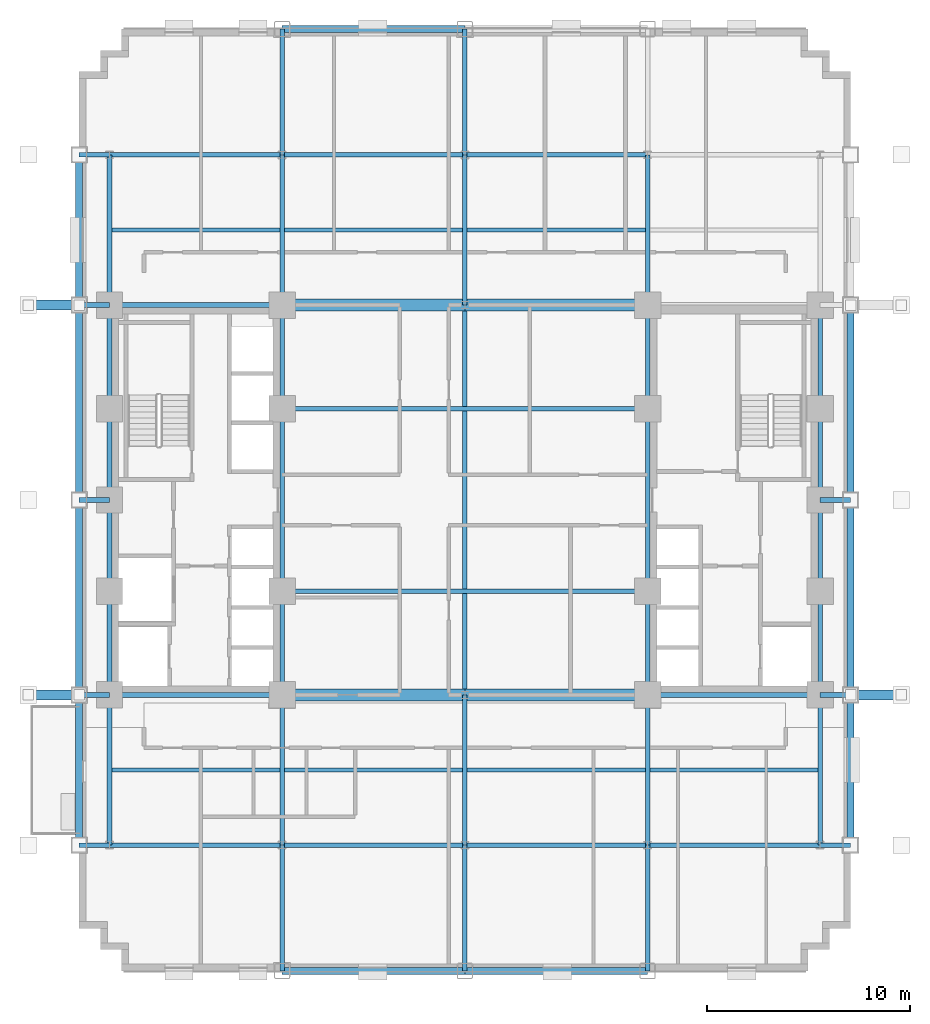
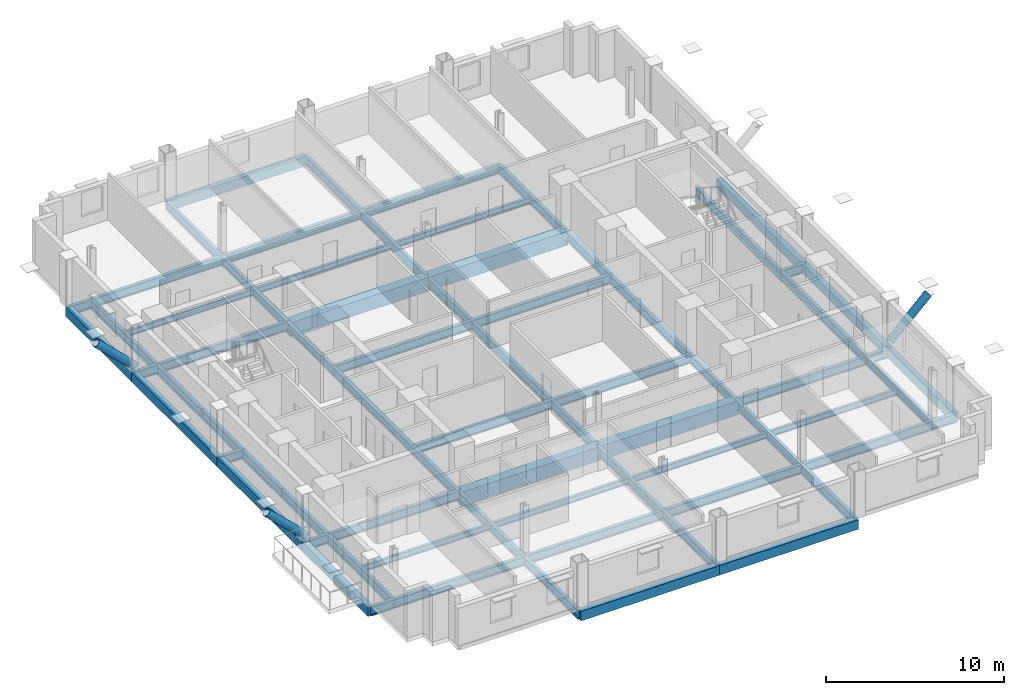
# One storey, part 3 of 12: 70 beams, 3 members.
"""IFC4 building model written with IfcOpenShell, lengths in metres."""

from ifc_helpers import new_model, si_unit, direction, frame, origin, origin_2d, place, context, subcontext, project, spatial, rectangle, hollow_circle, i_section, extrude, material, material_profile, profile_set, type_object, element, save


model = new_model("IFC4")

# Units and contexts
model_context = context("Model", 3, precision=1e-05, world=origin(), true_north=direction((0.0, 1.0)))
body_context = subcontext(model_context, "Body", "Model", "MODEL_VIEW")
ifc_project = project(units=[si_unit("LENGTHUNIT", "METRE"), si_unit("AREAUNIT", "SQUARE_METRE"), si_unit("VOLUMEUNIT", "CUBIC_METRE"), si_unit("PLANEANGLEUNIT", "RADIAN"), si_unit("MASSUNIT", "GRAM", prefix="KILO")], contexts=[model_context])

# Site, building, storey
site_placement = place(None, origin())
site = spatial("IfcSite", under=ifc_project, at=site_placement, CompositionType="ELEMENT")
building_placement = place(site_placement, origin())
building = spatial("IfcBuilding", under=site, at=building_placement, Name="Nuvemarco Arch Tower", CompositionType="ELEMENT")
storey_placement = place(building_placement, frame((0.0, 0.0, 53.14990234375)))
storey = spatial("IfcBuildingStorey", under=building, at=storey_placement, Name="L13", CompositionType="ELEMENT", Elevation=53.14990234375)

# Beams
ifc_material_1 = material(Name="Concrete C60/75", Category="concrete")
ifc_material_profile_1 = material_profile(ifc_material_1, rectangle(XDim=0.60009765625, YDim=0.949951171875, at=origin_2d()), Name="RC-BM-600x950")
ifc_profile_set_1 = profile_set([ifc_material_profile_1], Name="Concrete C60/75")
beam_type_1 = type_object("IfcBeamType", Name="BM-COUP-RC", PredefinedType="LINTEL", material=ifc_profile_set_1)
for number, where, z_axis, x_axis, name in (
    (1, (-9.0, -9.60009765625, -0.7548828125), (1.0, 0.0, 0.0), (0.0, 1.0, 0.0), "L13 structural beam BGEW_L13_0_-9.6_-9.0"),
    (2, (0.0, -9.60009765625, -0.7548828125), (1.0, 0.0, 0.0), (0.0, 1.0, 0.0), "L13 structural beam BGEW_L13_0_-9.6_+0.0"),
    (3, (-9.0, 9.60009765625, -0.7548828125), (1.0, 0.0, 0.0), (0.0, 1.0, 0.0), "L13 structural beam BGEW_L13_0_+9.6_-9.0"),
    (4, (0.0, 9.60009765625, -0.7548828125), (1.0, 0.0, 0.0), (0.0, 1.0, 0.0), "L13 structural beam BGEW_L13_0_+9.6_+0.0"),
):
    element("IfcBeam", number, at=place(storey_placement, frame(where, z_axis=z_axis, x_axis=x_axis)), inside=storey, type_object=beam_type_1, Name=name, PredefinedType="LINTEL", context=body_context, shape_type="SweptSolid", body=[
        extrude(rectangle(XDim=0.60009765625, YDim=0.949951171875, at=origin_2d()), origin(), (0.0, 0.0, 1.0), 9.0),
    ])
ifc_material_2 = material(Name="Steel S355", Category="steel")
ifc_material_profile_2 = material_profile(ifc_material_2, i_section(OverallWidth=0.22998046875, OverallDepth=0.616943359375, WebThickness=0.01318359375, FlangeThickness=0.022216796875, FilletRadius=0.01611328125, at=origin_2d()), Name="W610x140")
ifc_profile_set_2 = profile_set([ifc_material_profile_2], Name="Steel S355")
beam_type_2 = type_object("IfcBeamType", Name="BM-GIRD-610", PredefinedType="BEAM", material=ifc_profile_set_2)
beam_1_placement = place(storey_placement, frame((-17.5, -17.0, -0.58837890625), z_axis=(0.0, 1.0, 0.0), x_axis=(-1.0, 0.0, 0.0)))
element("IfcBeam", 5, at=beam_1_placement, inside=storey, type_object=beam_type_2, Name="L13 structural beam BGNS_L13_0_-17.5_-17.0", PredefinedType="BEAM", context=body_context, shape_type="SweptSolid", body=[
    extrude(i_section(OverallWidth=0.22998046875, OverallDepth=0.616943359375, WebThickness=0.01318359375, FlangeThickness=0.022216796875, FilletRadius=0.01611328125, at=origin_2d()), origin(), (0.0, 0.0, 1.0), 7.39990234375),
])
beam_2_placement = place(storey_placement, frame((-17.5, -9.60009765625, -0.58837890625), z_axis=(0.0, 1.0, 0.0), x_axis=(-1.0, 0.0, 0.0)))
element("IfcBeam", 6, at=beam_2_placement, inside=storey, type_object=beam_type_2, Name="L13 structural beam BGNS_L13_0_-17.5_-9.6", PredefinedType="BEAM", context=body_context, shape_type="SweptSolid", body=[
    extrude(i_section(OverallWidth=0.22998046875, OverallDepth=0.616943359375, WebThickness=0.01318359375, FlangeThickness=0.022216796875, FilletRadius=0.01611328125, at=origin_2d()), origin(), (0.0, 0.0, 1.0), 5.10009765625),
])
for number, where, z_axis, x_axis, name in (
    (7, (-17.5, -4.5, -0.58837890625), (0.0, 1.0, 0.0), (-1.0, 0.0, 0.0), "L13 structural beam BGNS_L13_0_-17.5_-4.5"),
    (8, (-17.5, 0.0, -0.58837890625), (0.0, 1.0, 0.0), (-1.0, 0.0, 0.0), "L13 structural beam BGNS_L13_0_-17.5_+0.0"),
):
    element("IfcBeam", number, at=place(storey_placement, frame(where, z_axis=z_axis, x_axis=x_axis)), inside=storey, type_object=beam_type_2, Name=name, PredefinedType="BEAM", context=body_context, shape_type="SweptSolid", body=[
        extrude(i_section(OverallWidth=0.22998046875, OverallDepth=0.616943359375, WebThickness=0.01318359375, FlangeThickness=0.022216796875, FilletRadius=0.01611328125, at=origin_2d()), origin(), (0.0, 0.0, 1.0), 4.5),
    ])
beam_3_placement = place(storey_placement, frame((-17.5, 4.5, -0.58837890625), z_axis=(0.0, 1.0, 0.0), x_axis=(-1.0, 0.0, 0.0)))
element("IfcBeam", 9, at=beam_3_placement, inside=storey, type_object=beam_type_2, Name="L13 structural beam BGNS_L13_0_-17.5_+4.5", PredefinedType="BEAM", context=body_context, shape_type="SweptSolid", body=[
    extrude(i_section(OverallWidth=0.22998046875, OverallDepth=0.616943359375, WebThickness=0.01318359375, FlangeThickness=0.022216796875, FilletRadius=0.01611328125, at=origin_2d()), origin(), (0.0, 0.0, 1.0), 5.10009765625),
])
beam_4_placement = place(storey_placement, frame((-17.5, 9.60009765625, -0.58837890625), z_axis=(0.0, 1.0, 0.0), x_axis=(-1.0, 0.0, 0.0)))
element("IfcBeam", 10, at=beam_4_placement, inside=storey, type_object=beam_type_2, Name="L13 structural beam BGNS_L13_0_-17.5_+9.6", PredefinedType="BEAM", context=body_context, shape_type="SweptSolid", body=[
    extrude(i_section(OverallWidth=0.22998046875, OverallDepth=0.616943359375, WebThickness=0.01318359375, FlangeThickness=0.022216796875, FilletRadius=0.01611328125, at=origin_2d()), origin(), (0.0, 0.0, 1.0), 7.39990234375),
])
beam_5_placement = place(storey_placement, frame((-9.0, -23.199951171875, -0.58837890625), z_axis=(0.0, 1.0, 0.0), x_axis=(-1.0, 0.0, 0.0)))
element("IfcBeam", 11, at=beam_5_placement, inside=storey, type_object=beam_type_2, Name="L13 structural beam BGNS_L13_0_-9.0_-23.2", PredefinedType="BEAM", context=body_context, shape_type="SweptSolid", body=[
    extrude(i_section(OverallWidth=0.22998046875, OverallDepth=0.616943359375, WebThickness=0.01318359375, FlangeThickness=0.022216796875, FilletRadius=0.01611328125, at=origin_2d()), origin(), (0.0, 0.0, 1.0), 6.199951171875),
])
beam_6_placement = place(storey_placement, frame((-9.0, -17.0, -0.58837890625), z_axis=(0.0, 1.0, 0.0), x_axis=(-1.0, 0.0, 0.0)))
element("IfcBeam", 12, at=beam_6_placement, inside=storey, type_object=beam_type_2, Name="L13 structural beam BGNS_L13_0_-9.0_-17.0", PredefinedType="BEAM", context=body_context, shape_type="SweptSolid", body=[
    extrude(i_section(OverallWidth=0.22998046875, OverallDepth=0.616943359375, WebThickness=0.01318359375, FlangeThickness=0.022216796875, FilletRadius=0.01611328125, at=origin_2d()), origin(), (0.0, 0.0, 1.0), 7.39990234375),
])
beam_7_placement = place(storey_placement, frame((-9.0, -9.60009765625, -0.58837890625), z_axis=(0.0, 1.0, 0.0), x_axis=(-1.0, 0.0, 0.0)))
element("IfcBeam", 13, at=beam_7_placement, inside=storey, type_object=beam_type_2, Name="L13 structural beam BGNS_L13_0_-9.0_-9.6", PredefinedType="BEAM", context=body_context, shape_type="SweptSolid", body=[
    extrude(i_section(OverallWidth=0.22998046875, OverallDepth=0.616943359375, WebThickness=0.01318359375, FlangeThickness=0.022216796875, FilletRadius=0.01611328125, at=origin_2d()), origin(), (0.0, 0.0, 1.0), 5.10009765625),
])
beam_8_placement = place(storey_placement, frame((-9.0, -4.5, -0.58837890625), z_axis=(0.0, 1.0, 0.0), x_axis=(-1.0, 0.0, 0.0)))
element("IfcBeam", 14, at=beam_8_placement, inside=storey, type_object=beam_type_2, Name="L13 structural beam BGNS_L13_0_-9.0_-4.5", PredefinedType="BEAM", context=body_context, shape_type="SweptSolid", body=[
    extrude(i_section(OverallWidth=0.22998046875, OverallDepth=0.616943359375, WebThickness=0.01318359375, FlangeThickness=0.022216796875, FilletRadius=0.01611328125, at=origin_2d()), origin(), (0.0, 0.0, 1.0), 9.0),
])
beam_9_placement = place(storey_placement, frame((-9.0, 4.5, -0.58837890625), z_axis=(0.0, 1.0, 0.0), x_axis=(-1.0, 0.0, 0.0)))
element("IfcBeam", 15, at=beam_9_placement, inside=storey, type_object=beam_type_2, Name="L13 structural beam BGNS_L13_0_-9.0_+4.5", PredefinedType="BEAM", context=body_context, shape_type="SweptSolid", body=[
    extrude(i_section(OverallWidth=0.22998046875, OverallDepth=0.616943359375, WebThickness=0.01318359375, FlangeThickness=0.022216796875, FilletRadius=0.01611328125, at=origin_2d()), origin(), (0.0, 0.0, 1.0), 5.10009765625),
])
beam_10_placement = place(storey_placement, frame((-9.0, 9.60009765625, -0.58837890625), z_axis=(0.0, 1.0, 0.0), x_axis=(-1.0, 0.0, 0.0)))
element("IfcBeam", 16, at=beam_10_placement, inside=storey, type_object=beam_type_2, Name="L13 structural beam BGNS_L13_0_-9.0_+9.6", PredefinedType="BEAM", context=body_context, shape_type="SweptSolid", body=[
    extrude(i_section(OverallWidth=0.22998046875, OverallDepth=0.616943359375, WebThickness=0.01318359375, FlangeThickness=0.022216796875, FilletRadius=0.01611328125, at=origin_2d()), origin(), (0.0, 0.0, 1.0), 7.39990234375),
])
for number, where, z_axis, x_axis, name in (
    (17, (-9.0, 17.0, -0.58837890625), (0.0, 1.0, 0.0), (-1.0, 0.0, 0.0), "L13 structural beam BGNS_L13_0_-9.0_+17.0"),
    (18, (0.0, -23.199951171875, -0.58837890625), (0.0, 1.0, 0.0), (-1.0, 0.0, 0.0), "L13 structural beam BGNS_L13_0_+0.0_-23.2"),
):
    element("IfcBeam", number, at=place(storey_placement, frame(where, z_axis=z_axis, x_axis=x_axis)), inside=storey, type_object=beam_type_2, Name=name, PredefinedType="BEAM", context=body_context, shape_type="SweptSolid", body=[
        extrude(i_section(OverallWidth=0.22998046875, OverallDepth=0.616943359375, WebThickness=0.01318359375, FlangeThickness=0.022216796875, FilletRadius=0.01611328125, at=origin_2d()), origin(), (0.0, 0.0, 1.0), 6.199951171875),
    ])
beam_11_placement = place(storey_placement, frame((0.0, -17.0, -0.58837890625), z_axis=(0.0, 1.0, 0.0), x_axis=(-1.0, 0.0, 0.0)))
element("IfcBeam", 19, at=beam_11_placement, inside=storey, type_object=beam_type_2, Name="L13 structural beam BGNS_L13_0_+0.0_-17.0", PredefinedType="BEAM", context=body_context, shape_type="SweptSolid", body=[
    extrude(i_section(OverallWidth=0.22998046875, OverallDepth=0.616943359375, WebThickness=0.01318359375, FlangeThickness=0.022216796875, FilletRadius=0.01611328125, at=origin_2d()), origin(), (0.0, 0.0, 1.0), 7.39990234375),
])
beam_12_placement = place(storey_placement, frame((0.0, -9.60009765625, -0.58837890625), z_axis=(0.0, 1.0, 0.0), x_axis=(-1.0, 0.0, 0.0)))
element("IfcBeam", 20, at=beam_12_placement, inside=storey, type_object=beam_type_2, Name="L13 structural beam BGNS_L13_0_+0.0_-9.6", PredefinedType="BEAM", context=body_context, shape_type="SweptSolid", body=[
    extrude(i_section(OverallWidth=0.22998046875, OverallDepth=0.616943359375, WebThickness=0.01318359375, FlangeThickness=0.022216796875, FilletRadius=0.01611328125, at=origin_2d()), origin(), (0.0, 0.0, 1.0), 19.2001953125),
])
beam_13_placement = place(storey_placement, frame((0.0, 9.60009765625, -0.58837890625), z_axis=(0.0, 1.0, 0.0), x_axis=(-1.0, 0.0, 0.0)))
element("IfcBeam", 21, at=beam_13_placement, inside=storey, type_object=beam_type_2, Name="L13 structural beam BGNS_L13_0_+0.0_+9.6", PredefinedType="BEAM", context=body_context, shape_type="SweptSolid", body=[
    extrude(i_section(OverallWidth=0.22998046875, OverallDepth=0.616943359375, WebThickness=0.01318359375, FlangeThickness=0.022216796875, FilletRadius=0.01611328125, at=origin_2d()), origin(), (0.0, 0.0, 1.0), 7.39990234375),
])
for number, where, z_axis, x_axis, name in (
    (22, (0.0, 17.0, -0.58837890625), (0.0, 1.0, 0.0), (-1.0, 0.0, 0.0), "L13 structural beam BGNS_L13_0_+0.0_+17.0"),
    (23, (9.0, -23.199951171875, -0.58837890625), (0.0, 1.0, 0.0), (-1.0, 0.0, 0.0), "L13 structural beam BGNS_L13_0_+9.0_-23.2"),
):
    element("IfcBeam", number, at=place(storey_placement, frame(where, z_axis=z_axis, x_axis=x_axis)), inside=storey, type_object=beam_type_2, Name=name, PredefinedType="BEAM", context=body_context, shape_type="SweptSolid", body=[
        extrude(i_section(OverallWidth=0.22998046875, OverallDepth=0.616943359375, WebThickness=0.01318359375, FlangeThickness=0.022216796875, FilletRadius=0.01611328125, at=origin_2d()), origin(), (0.0, 0.0, 1.0), 6.199951171875),
    ])
beam_14_placement = place(storey_placement, frame((9.0, -17.0, -0.58837890625), z_axis=(0.0, 1.0, 0.0), x_axis=(-1.0, 0.0, 0.0)))
element("IfcBeam", 24, at=beam_14_placement, inside=storey, type_object=beam_type_2, Name="L13 structural beam BGNS_L13_0_+9.0_-17.0", PredefinedType="BEAM", context=body_context, shape_type="SweptSolid", body=[
    extrude(i_section(OverallWidth=0.22998046875, OverallDepth=0.616943359375, WebThickness=0.01318359375, FlangeThickness=0.022216796875, FilletRadius=0.01611328125, at=origin_2d()), origin(), (0.0, 0.0, 1.0), 7.39990234375),
])
beam_15_placement = place(storey_placement, frame((9.0, -9.60009765625, -0.58837890625), z_axis=(0.0, 1.0, 0.0), x_axis=(-1.0, 0.0, 0.0)))
element("IfcBeam", 25, at=beam_15_placement, inside=storey, type_object=beam_type_2, Name="L13 structural beam BGNS_L13_0_+9.0_-9.6", PredefinedType="BEAM", context=body_context, shape_type="SweptSolid", body=[
    extrude(i_section(OverallWidth=0.22998046875, OverallDepth=0.616943359375, WebThickness=0.01318359375, FlangeThickness=0.022216796875, FilletRadius=0.01611328125, at=origin_2d()), origin(), (0.0, 0.0, 1.0), 5.10009765625),
])
beam_16_placement = place(storey_placement, frame((9.0, -4.5, -0.58837890625), z_axis=(0.0, 1.0, 0.0), x_axis=(-1.0, 0.0, 0.0)))
element("IfcBeam", 26, at=beam_16_placement, inside=storey, type_object=beam_type_2, Name="L13 structural beam BGNS_L13_0_+9.0_-4.5", PredefinedType="BEAM", context=body_context, shape_type="SweptSolid", body=[
    extrude(i_section(OverallWidth=0.22998046875, OverallDepth=0.616943359375, WebThickness=0.01318359375, FlangeThickness=0.022216796875, FilletRadius=0.01611328125, at=origin_2d()), origin(), (0.0, 0.0, 1.0), 9.0),
])
beam_17_placement = place(storey_placement, frame((9.0, 4.5, -0.58837890625), z_axis=(0.0, 1.0, 0.0), x_axis=(-1.0, 0.0, 0.0)))
element("IfcBeam", 27, at=beam_17_placement, inside=storey, type_object=beam_type_2, Name="L13 structural beam BGNS_L13_0_+9.0_+4.5", PredefinedType="BEAM", context=body_context, shape_type="SweptSolid", body=[
    extrude(i_section(OverallWidth=0.22998046875, OverallDepth=0.616943359375, WebThickness=0.01318359375, FlangeThickness=0.022216796875, FilletRadius=0.01611328125, at=origin_2d()), origin(), (0.0, 0.0, 1.0), 5.10009765625),
])
for number, where, z_axis, x_axis, name in (
    (28, (9.0, 9.60009765625, -0.58837890625), (0.0, 1.0, 0.0), (-1.0, 0.0, 0.0), "L13 structural beam BGNS_L13_0_+9.0_+9.6"),
    (29, (17.5, -17.0, -0.58837890625), (0.0, 1.0, 0.0), (-1.0, 0.0, 0.0), "L13 structural beam BGNS_L13_0_+17.5_-17.0"),
):
    element("IfcBeam", number, at=place(storey_placement, frame(where, z_axis=z_axis, x_axis=x_axis)), inside=storey, type_object=beam_type_2, Name=name, PredefinedType="BEAM", context=body_context, shape_type="SweptSolid", body=[
        extrude(i_section(OverallWidth=0.22998046875, OverallDepth=0.616943359375, WebThickness=0.01318359375, FlangeThickness=0.022216796875, FilletRadius=0.01611328125, at=origin_2d()), origin(), (0.0, 0.0, 1.0), 7.39990234375),
    ])
beam_18_placement = place(storey_placement, frame((17.5, -9.60009765625, -0.58837890625), z_axis=(0.0, 1.0, 0.0), x_axis=(-1.0, 0.0, 0.0)))
element("IfcBeam", 30, at=beam_18_placement, inside=storey, type_object=beam_type_2, Name="L13 structural beam BGNS_L13_0_+17.5_-9.6", PredefinedType="BEAM", context=body_context, shape_type="SweptSolid", body=[
    extrude(i_section(OverallWidth=0.22998046875, OverallDepth=0.616943359375, WebThickness=0.01318359375, FlangeThickness=0.022216796875, FilletRadius=0.01611328125, at=origin_2d()), origin(), (0.0, 0.0, 1.0), 5.10009765625),
])
for number, where, z_axis, x_axis, name in (
    (31, (17.5, -4.5, -0.58837890625), (0.0, 1.0, 0.0), (-1.0, 0.0, 0.0), "L13 structural beam BGNS_L13_0_+17.5_-4.5"),
    (32, (17.5, 0.0, -0.58837890625), (0.0, 1.0, 0.0), (-1.0, 0.0, 0.0), "L13 structural beam BGNS_L13_0_+17.5_+0.0"),
):
    element("IfcBeam", number, at=place(storey_placement, frame(where, z_axis=z_axis, x_axis=x_axis)), inside=storey, type_object=beam_type_2, Name=name, PredefinedType="BEAM", context=body_context, shape_type="SweptSolid", body=[
        extrude(i_section(OverallWidth=0.22998046875, OverallDepth=0.616943359375, WebThickness=0.01318359375, FlangeThickness=0.022216796875, FilletRadius=0.01611328125, at=origin_2d()), origin(), (0.0, 0.0, 1.0), 4.5),
    ])
beam_19_placement = place(storey_placement, frame((17.5, 4.5, -0.58837890625), z_axis=(0.0, 1.0, 0.0), x_axis=(-1.0, 0.0, 0.0)))
element("IfcBeam", 33, at=beam_19_placement, inside=storey, type_object=beam_type_2, Name="L13 structural beam BGNS_L13_0_+17.5_+4.5", PredefinedType="BEAM", context=body_context, shape_type="SweptSolid", body=[
    extrude(i_section(OverallWidth=0.22998046875, OverallDepth=0.616943359375, WebThickness=0.01318359375, FlangeThickness=0.022216796875, FilletRadius=0.01611328125, at=origin_2d()), origin(), (0.0, 0.0, 1.0), 5.10009765625),
])
beam_20_placement = place(storey_placement, frame((-19.0, -17.0, -0.58837890625), z_axis=(1.0, 0.0, 0.0), x_axis=(0.0, 1.0, 0.0)))
element("IfcBeam", 34, at=beam_20_placement, inside=storey, type_object=beam_type_2, Name="L13 structural beam BGEW_L13_0_-17.0_-19.0", PredefinedType="BEAM", context=body_context, shape_type="SweptSolid", body=[
    extrude(i_section(OverallWidth=0.22998046875, OverallDepth=0.616943359375, WebThickness=0.01318359375, FlangeThickness=0.022216796875, FilletRadius=0.01611328125, at=origin_2d()), origin(), (0.0, 0.0, 1.0), 1.5),
])
beam_21_placement = place(storey_placement, frame((-17.5, -17.0, -0.58837890625), z_axis=(1.0, 0.0, 0.0), x_axis=(0.0, 1.0, 0.0)))
element("IfcBeam", 35, at=beam_21_placement, inside=storey, type_object=beam_type_2, Name="L13 structural beam BGEW_L13_0_-17.0_-17.5", PredefinedType="BEAM", context=body_context, shape_type="SweptSolid", body=[
    extrude(i_section(OverallWidth=0.22998046875, OverallDepth=0.616943359375, WebThickness=0.01318359375, FlangeThickness=0.022216796875, FilletRadius=0.01611328125, at=origin_2d()), origin(), (0.0, 0.0, 1.0), 8.5),
])
for number, where, z_axis, x_axis, name in (
    (36, (-9.0, -17.0, -0.58837890625), (1.0, 0.0, 0.0), (0.0, 1.0, 0.0), "L13 structural beam BGEW_L13_0_-17.0_-9.0"),
    (37, (0.0, -17.0, -0.58837890625), (1.0, 0.0, 0.0), (0.0, 1.0, 0.0), "L13 structural beam BGEW_L13_0_-17.0_+0.0"),
):
    element("IfcBeam", number, at=place(storey_placement, frame(where, z_axis=z_axis, x_axis=x_axis)), inside=storey, type_object=beam_type_2, Name=name, PredefinedType="BEAM", context=body_context, shape_type="SweptSolid", body=[
        extrude(i_section(OverallWidth=0.22998046875, OverallDepth=0.616943359375, WebThickness=0.01318359375, FlangeThickness=0.022216796875, FilletRadius=0.01611328125, at=origin_2d()), origin(), (0.0, 0.0, 1.0), 9.0),
    ])
beam_22_placement = place(storey_placement, frame((9.0, -17.0, -0.58837890625), z_axis=(1.0, 0.0, 0.0), x_axis=(0.0, 1.0, 0.0)))
element("IfcBeam", 38, at=beam_22_placement, inside=storey, type_object=beam_type_2, Name="L13 structural beam BGEW_L13_0_-17.0_+9.0", PredefinedType="BEAM", context=body_context, shape_type="SweptSolid", body=[
    extrude(i_section(OverallWidth=0.22998046875, OverallDepth=0.616943359375, WebThickness=0.01318359375, FlangeThickness=0.022216796875, FilletRadius=0.01611328125, at=origin_2d()), origin(), (0.0, 0.0, 1.0), 8.5),
])
for number, where, z_axis, x_axis, name in (
    (39, (17.5, -17.0, -0.58837890625), (1.0, 0.0, 0.0), (0.0, 1.0, 0.0), "L13 structural beam BGEW_L13_0_-17.0_+17.5"),
    (40, (-19.0, -9.60009765625, -0.58837890625), (1.0, 0.0, 0.0), (0.0, 1.0, 0.0), "L13 structural beam BGEW_L13_0_-9.6_-19.0"),
):
    element("IfcBeam", number, at=place(storey_placement, frame(where, z_axis=z_axis, x_axis=x_axis)), inside=storey, type_object=beam_type_2, Name=name, PredefinedType="BEAM", context=body_context, shape_type="SweptSolid", body=[
        extrude(i_section(OverallWidth=0.22998046875, OverallDepth=0.616943359375, WebThickness=0.01318359375, FlangeThickness=0.022216796875, FilletRadius=0.01611328125, at=origin_2d()), origin(), (0.0, 0.0, 1.0), 1.5),
    ])
for number, where, z_axis, x_axis, name in (
    (41, (-17.5, -9.60009765625, -0.58837890625), (1.0, 0.0, 0.0), (0.0, 1.0, 0.0), "L13 structural beam BGEW_L13_0_-9.6_-17.5"),
    (42, (9.0, -9.60009765625, -0.58837890625), (1.0, 0.0, 0.0), (0.0, 1.0, 0.0), "L13 structural beam BGEW_L13_0_-9.6_+9.0"),
):
    element("IfcBeam", number, at=place(storey_placement, frame(where, z_axis=z_axis, x_axis=x_axis)), inside=storey, type_object=beam_type_2, Name=name, PredefinedType="BEAM", context=body_context, shape_type="SweptSolid", body=[
        extrude(i_section(OverallWidth=0.22998046875, OverallDepth=0.616943359375, WebThickness=0.01318359375, FlangeThickness=0.022216796875, FilletRadius=0.01611328125, at=origin_2d()), origin(), (0.0, 0.0, 1.0), 8.5),
    ])
beam_23_placement = place(storey_placement, frame((17.5, -9.60009765625, -0.58837890625), z_axis=(1.0, 0.0, 0.0), x_axis=(0.0, 1.0, 0.0)))
element("IfcBeam", 43, at=beam_23_placement, inside=storey, type_object=beam_type_2, Name="L13 structural beam BGEW_L13_0_-9.6_+17.5", PredefinedType="BEAM", context=body_context, shape_type="SweptSolid", body=[
    extrude(i_section(OverallWidth=0.22998046875, OverallDepth=0.616943359375, WebThickness=0.01318359375, FlangeThickness=0.022216796875, FilletRadius=0.01611328125, at=origin_2d()), origin(), (0.0, 0.0, 1.0), 1.5),
])
beam_24_placement = place(storey_placement, frame((-9.0, -4.5, -0.58837890625), z_axis=(1.0, 0.0, 0.0), x_axis=(0.0, 1.0, 0.0)))
element("IfcBeam", 44, at=beam_24_placement, inside=storey, type_object=beam_type_2, Name="L13 structural beam BGEW_L13_0_-4.5_-9.0", PredefinedType="BEAM", context=body_context, shape_type="SweptSolid", body=[
    extrude(i_section(OverallWidth=0.22998046875, OverallDepth=0.616943359375, WebThickness=0.01318359375, FlangeThickness=0.022216796875, FilletRadius=0.01611328125, at=origin_2d()), origin(), (0.0, 0.0, 1.0), 18.0),
])
for number, where, z_axis, x_axis, name in (
    (45, (-19.0, 0.0, -0.58837890625), (1.0, 0.0, 0.0), (0.0, 1.0, 0.0), "L13 structural beam BGEW_L13_0_+0.0_-19.0"),
    (46, (17.5, 0.0, -0.58837890625), (1.0, 0.0, 0.0), (0.0, 1.0, 0.0), "L13 structural beam BGEW_L13_0_+0.0_+17.5"),
):
    element("IfcBeam", number, at=place(storey_placement, frame(where, z_axis=z_axis, x_axis=x_axis)), inside=storey, type_object=beam_type_2, Name=name, PredefinedType="BEAM", context=body_context, shape_type="SweptSolid", body=[
        extrude(i_section(OverallWidth=0.22998046875, OverallDepth=0.616943359375, WebThickness=0.01318359375, FlangeThickness=0.022216796875, FilletRadius=0.01611328125, at=origin_2d()), origin(), (0.0, 0.0, 1.0), 1.5),
    ])
beam_25_placement = place(storey_placement, frame((-9.0, 4.5, -0.58837890625), z_axis=(1.0, 0.0, 0.0), x_axis=(0.0, 1.0, 0.0)))
element("IfcBeam", 47, at=beam_25_placement, inside=storey, type_object=beam_type_2, Name="L13 structural beam BGEW_L13_0_+4.5_-9.0", PredefinedType="BEAM", context=body_context, shape_type="SweptSolid", body=[
    extrude(i_section(OverallWidth=0.22998046875, OverallDepth=0.616943359375, WebThickness=0.01318359375, FlangeThickness=0.022216796875, FilletRadius=0.01611328125, at=origin_2d()), origin(), (0.0, 0.0, 1.0), 18.0),
])
beam_26_placement = place(storey_placement, frame((-19.0, 9.60009765625, -0.58837890625), z_axis=(1.0, 0.0, 0.0), x_axis=(0.0, 1.0, 0.0)))
element("IfcBeam", 48, at=beam_26_placement, inside=storey, type_object=beam_type_2, Name="L13 structural beam BGEW_L13_0_+9.6_-19.0", PredefinedType="BEAM", context=body_context, shape_type="SweptSolid", body=[
    extrude(i_section(OverallWidth=0.22998046875, OverallDepth=0.616943359375, WebThickness=0.01318359375, FlangeThickness=0.022216796875, FilletRadius=0.01611328125, at=origin_2d()), origin(), (0.0, 0.0, 1.0), 1.5),
])
beam_27_placement = place(storey_placement, frame((-17.5, 9.60009765625, -0.58837890625), z_axis=(1.0, 0.0, 0.0), x_axis=(0.0, 1.0, 0.0)))
element("IfcBeam", 49, at=beam_27_placement, inside=storey, type_object=beam_type_2, Name="L13 structural beam BGEW_L13_0_+9.6_-17.5", PredefinedType="BEAM", context=body_context, shape_type="SweptSolid", body=[
    extrude(i_section(OverallWidth=0.22998046875, OverallDepth=0.616943359375, WebThickness=0.01318359375, FlangeThickness=0.022216796875, FilletRadius=0.01611328125, at=origin_2d()), origin(), (0.0, 0.0, 1.0), 8.5),
])
beam_28_placement = place(storey_placement, frame((-19.0, 17.0, -0.58837890625), z_axis=(1.0, 0.0, 0.0), x_axis=(0.0, 1.0, 0.0)))
element("IfcBeam", 50, at=beam_28_placement, inside=storey, type_object=beam_type_2, Name="L13 structural beam BGEW_L13_0_+17.0_-19.0", PredefinedType="BEAM", context=body_context, shape_type="SweptSolid", body=[
    extrude(i_section(OverallWidth=0.22998046875, OverallDepth=0.616943359375, WebThickness=0.01318359375, FlangeThickness=0.022216796875, FilletRadius=0.01611328125, at=origin_2d()), origin(), (0.0, 0.0, 1.0), 1.5),
])
beam_29_placement = place(storey_placement, frame((-17.5, 17.0, -0.58837890625), z_axis=(1.0, 0.0, 0.0), x_axis=(0.0, 1.0, 0.0)))
element("IfcBeam", 51, at=beam_29_placement, inside=storey, type_object=beam_type_2, Name="L13 structural beam BGEW_L13_0_+17.0_-17.5", PredefinedType="BEAM", context=body_context, shape_type="SweptSolid", body=[
    extrude(i_section(OverallWidth=0.22998046875, OverallDepth=0.616943359375, WebThickness=0.01318359375, FlangeThickness=0.022216796875, FilletRadius=0.01611328125, at=origin_2d()), origin(), (0.0, 0.0, 1.0), 8.5),
])
for number, where, z_axis, x_axis, name in (
    (52, (-9.0, 17.0, -0.58837890625), (1.0, 0.0, 0.0), (0.0, 1.0, 0.0), "L13 structural beam BGEW_L13_0_+17.0_-9.0"),
    (53, (0.0, 17.0, -0.58837890625), (1.0, 0.0, 0.0), (0.0, 1.0, 0.0), "L13 structural beam BGEW_L13_0_+17.0_+0.0"),
):
    element("IfcBeam", number, at=place(storey_placement, frame(where, z_axis=z_axis, x_axis=x_axis)), inside=storey, type_object=beam_type_2, Name=name, PredefinedType="BEAM", context=body_context, shape_type="SweptSolid", body=[
        extrude(i_section(OverallWidth=0.22998046875, OverallDepth=0.616943359375, WebThickness=0.01318359375, FlangeThickness=0.022216796875, FilletRadius=0.01611328125, at=origin_2d()), origin(), (0.0, 0.0, 1.0), 9.0),
    ])
ifc_material_profile_3 = material_profile(ifc_material_2, i_section(OverallWidth=0.179931640625, OverallDepth=0.4130859375, WebThickness=0.009765625, FlangeThickness=0.01611328125, FilletRadius=0.014892578125, at=origin_2d()), Name="W410x75")
ifc_profile_set_3 = profile_set([ifc_material_profile_3], Name="Steel S355")
beam_type_3 = type_object("IfcBeamType", Name="BM-JOIST-410", PredefinedType="JOIST", material=ifc_profile_set_3)
beam_30_placement = place(storey_placement, frame((-17.385009765625, -13.300048828125, -0.486328125), z_axis=(1.0, 0.0, 0.0), x_axis=(0.0, 1.0, 0.0)))
element("IfcBeam", 54, at=beam_30_placement, inside=storey, type_object=beam_type_3, Name="L13 structural beam BJ_L13_0_-13.3_-17.5", PredefinedType="JOIST", context=body_context, shape_type="SweptSolid", body=[
    extrude(i_section(OverallWidth=0.179931640625, OverallDepth=0.4130859375, WebThickness=0.009765625, FlangeThickness=0.01611328125, FilletRadius=0.014892578125, at=origin_2d()), origin(), (0.0, 0.0, 1.0), 8.27001953125),
])
for number, where, z_axis, x_axis, name in (
    (55, (-8.885009765625, -13.300048828125, -0.486328125), (1.0, 0.0, 0.0), (0.0, 1.0, 0.0), "L13 structural beam BJ_L13_0_-13.3_-9.0"),
    (56, (0.114990234375, -13.300048828125, -0.486328125), (1.0, 0.0, 0.0), (0.0, 1.0, 0.0), "L13 structural beam BJ_L13_0_-13.3_+0.0"),
):
    element("IfcBeam", number, at=place(storey_placement, frame(where, z_axis=z_axis, x_axis=x_axis)), inside=storey, type_object=beam_type_3, Name=name, PredefinedType="JOIST", context=body_context, shape_type="SweptSolid", body=[
        extrude(i_section(OverallWidth=0.179931640625, OverallDepth=0.4130859375, WebThickness=0.009765625, FlangeThickness=0.01611328125, FilletRadius=0.014892578125, at=origin_2d()), origin(), (0.0, 0.0, 1.0), 8.77001953125),
    ])
for number, where, z_axis, x_axis, name in (
    (57, (9.114990234375, -13.300048828125, -0.486328125), (1.0, 0.0, 0.0), (0.0, 1.0, 0.0), "L13 structural beam BJ_L13_0_-13.3_+9.0"),
    (58, (-17.385009765625, 13.300048828125, -0.486328125), (1.0, 0.0, 0.0), (0.0, 1.0, 0.0), "L13 structural beam BJ_L13_0_+13.3_-17.5"),
):
    element("IfcBeam", number, at=place(storey_placement, frame(where, z_axis=z_axis, x_axis=x_axis)), inside=storey, type_object=beam_type_3, Name=name, PredefinedType="JOIST", context=body_context, shape_type="SweptSolid", body=[
        extrude(i_section(OverallWidth=0.179931640625, OverallDepth=0.4130859375, WebThickness=0.009765625, FlangeThickness=0.01611328125, FilletRadius=0.014892578125, at=origin_2d()), origin(), (0.0, 0.0, 1.0), 8.27001953125),
    ])
for number, where, z_axis, x_axis, name in (
    (59, (-8.885009765625, 13.300048828125, -0.486328125), (1.0, 0.0, 0.0), (0.0, 1.0, 0.0), "L13 structural beam BJ_L13_0_+13.3_-9.0"),
    (60, (0.114990234375, 13.300048828125, -0.486328125), (1.0, 0.0, 0.0), (0.0, 1.0, 0.0), "L13 structural beam BJ_L13_0_+13.3_+0.0"),
):
    element("IfcBeam", number, at=place(storey_placement, frame(where, z_axis=z_axis, x_axis=x_axis)), inside=storey, type_object=beam_type_3, Name=name, PredefinedType="JOIST", context=body_context, shape_type="SweptSolid", body=[
        extrude(i_section(OverallWidth=0.179931640625, OverallDepth=0.4130859375, WebThickness=0.009765625, FlangeThickness=0.01611328125, FilletRadius=0.014892578125, at=origin_2d()), origin(), (0.0, 0.0, 1.0), 8.77001953125),
    ])
ifc_material_3 = material(Name="Precast concrete C45/55", Category="concrete")
ifc_material_profile_4 = material_profile(ifc_material_3, rectangle(XDim=0.35009765625, YDim=0.64990234375, at=origin_2d()), Name="PC-SP-350x650")
ifc_profile_set_4 = profile_set([ifc_material_profile_4], Name="Precast concrete C45/55")
beam_type_4 = type_object("IfcBeamType", Name="BM-SPAN-RC", PredefinedType="SPANDREL", material=ifc_profile_set_4)
beam_31_placement = place(storey_placement, frame((-19.0, -17.0, -0.60498046875), z_axis=(0.0, 1.0, 0.0), x_axis=(-1.0, 0.0, 0.0)))
element("IfcBeam", 61, at=beam_31_placement, inside=storey, type_object=beam_type_4, Name="L13 structural beam BGNS_L13_0_-19.0_-17.0", PredefinedType="SPANDREL", context=body_context, shape_type="SweptSolid", body=[
    extrude(rectangle(XDim=0.35009765625, YDim=0.64990234375, at=origin_2d()), origin(), (0.0, 0.0, 1.0), 7.39990234375),
])
for number, where, z_axis, x_axis, name in (
    (62, (-19.0, -9.60009765625, -0.60498046875), (0.0, 1.0, 0.0), (-1.0, 0.0, 0.0), "L13 structural beam BGNS_L13_0_-19.0_-9.6"),
    (63, (-19.0, 0.0, -0.60498046875), (0.0, 1.0, 0.0), (-1.0, 0.0, 0.0), "L13 structural beam BGNS_L13_0_-19.0_+0.0"),
):
    element("IfcBeam", number, at=place(storey_placement, frame(where, z_axis=z_axis, x_axis=x_axis)), inside=storey, type_object=beam_type_4, Name=name, PredefinedType="SPANDREL", context=body_context, shape_type="SweptSolid", body=[
        extrude(rectangle(XDim=0.35009765625, YDim=0.64990234375, at=origin_2d()), origin(), (0.0, 0.0, 1.0), 9.60009765625),
    ])
for number, where, z_axis, x_axis, name in (
    (64, (-19.0, 9.60009765625, -0.60498046875), (0.0, 1.0, 0.0), (-1.0, 0.0, 0.0), "L13 structural beam BGNS_L13_0_-19.0_+9.6"),
    (65, (19.0, -17.0, -0.60498046875), (0.0, 1.0, 0.0), (-1.0, 0.0, 0.0), "L13 structural beam BGNS_L13_0_+19.0_-17.0"),
):
    element("IfcBeam", number, at=place(storey_placement, frame(where, z_axis=z_axis, x_axis=x_axis)), inside=storey, type_object=beam_type_4, Name=name, PredefinedType="SPANDREL", context=body_context, shape_type="SweptSolid", body=[
        extrude(rectangle(XDim=0.35009765625, YDim=0.64990234375, at=origin_2d()), origin(), (0.0, 0.0, 1.0), 7.39990234375),
    ])
for number, where, z_axis, x_axis, name in (
    (66, (19.0, -9.60009765625, -0.60498046875), (0.0, 1.0, 0.0), (-1.0, 0.0, 0.0), "L13 structural beam BGNS_L13_0_+19.0_-9.6"),
    (67, (19.0, 0.0, -0.60498046875), (0.0, 1.0, 0.0), (-1.0, 0.0, 0.0), "L13 structural beam BGNS_L13_0_+19.0_+0.0"),
):
    element("IfcBeam", number, at=place(storey_placement, frame(where, z_axis=z_axis, x_axis=x_axis)), inside=storey, type_object=beam_type_4, Name=name, PredefinedType="SPANDREL", context=body_context, shape_type="SweptSolid", body=[
        extrude(rectangle(XDim=0.35009765625, YDim=0.64990234375, at=origin_2d()), origin(), (0.0, 0.0, 1.0), 9.60009765625),
    ])
for number, where, z_axis, x_axis, name in (
    (68, (-9.0, -23.199951171875, -0.60498046875), (1.0, 0.0, 0.0), (0.0, 1.0, 0.0), "L13 structural beam BGEW_L13_0_-23.2_-9.0"),
    (69, (0.0, -23.199951171875, -0.60498046875), (1.0, 0.0, 0.0), (0.0, 1.0, 0.0), "L13 structural beam BGEW_L13_0_-23.2_+0.0"),
    (70, (-9.0, 23.199951171875, -0.60498046875), (1.0, 0.0, 0.0), (0.0, 1.0, 0.0), "L13 structural beam BGEW_L13_0_+23.2_-9.0"),
):
    element("IfcBeam", number, at=place(storey_placement, frame(where, z_axis=z_axis, x_axis=x_axis)), inside=storey, type_object=beam_type_4, Name=name, PredefinedType="SPANDREL", context=body_context, shape_type="SweptSolid", body=[
        extrude(rectangle(XDim=0.35009765625, YDim=0.64990234375, at=origin_2d()), origin(), (0.0, 0.0, 1.0), 9.0),
    ])

# Members
ifc_material_profile_5 = material_profile(ifc_material_2, hollow_circle(Radius=0.25390625, WallThickness=0.031982421875, at=origin_2d()), Name="CHS508x32")
ifc_profile_set_5 = profile_set([ifc_material_profile_5], Name="Steel S355")
member_type = type_object("IfcMemberType", Name="MB-RAKER-CANT", PredefinedType="STRUT", material=ifc_profile_set_5)
for number, where, z_axis, x_axis, name in (
    (71, (-19.0, -9.60009765625, 0.150146484375), (-0.721401399021, 0.0, 0.692517163318), (0.0, -1.0, 0.0), "L13 outward-step steel raker strut W"),
    (72, (19.0, -9.60009765625, 0.150146484375), (0.721401399021, 0.0, 0.692517163318), (0.0, 1.0, 0.0), "L13 outward-step steel raker strut E"),
    (73, (-19.0, 9.60009765625, 0.150146484375), (-0.721401399021, 0.0, 0.692517163318), (0.0, -1.0, 0.0), "L13 outward-step steel raker strut W"),
):
    element("IfcMember", number, at=place(storey_placement, frame(where, z_axis=z_axis, x_axis=x_axis)), inside=storey, type_object=member_type, Name=name, PredefinedType="STRUT", context=body_context, shape_type="SweptSolid", body=[
        extrude(hollow_circle(Radius=0.25390625, WallThickness=0.031982421875, at=origin_2d()), origin(), (0.0, 0.0, 1.0), 3.465576171875),
    ])

save(model, "model.ifc")
